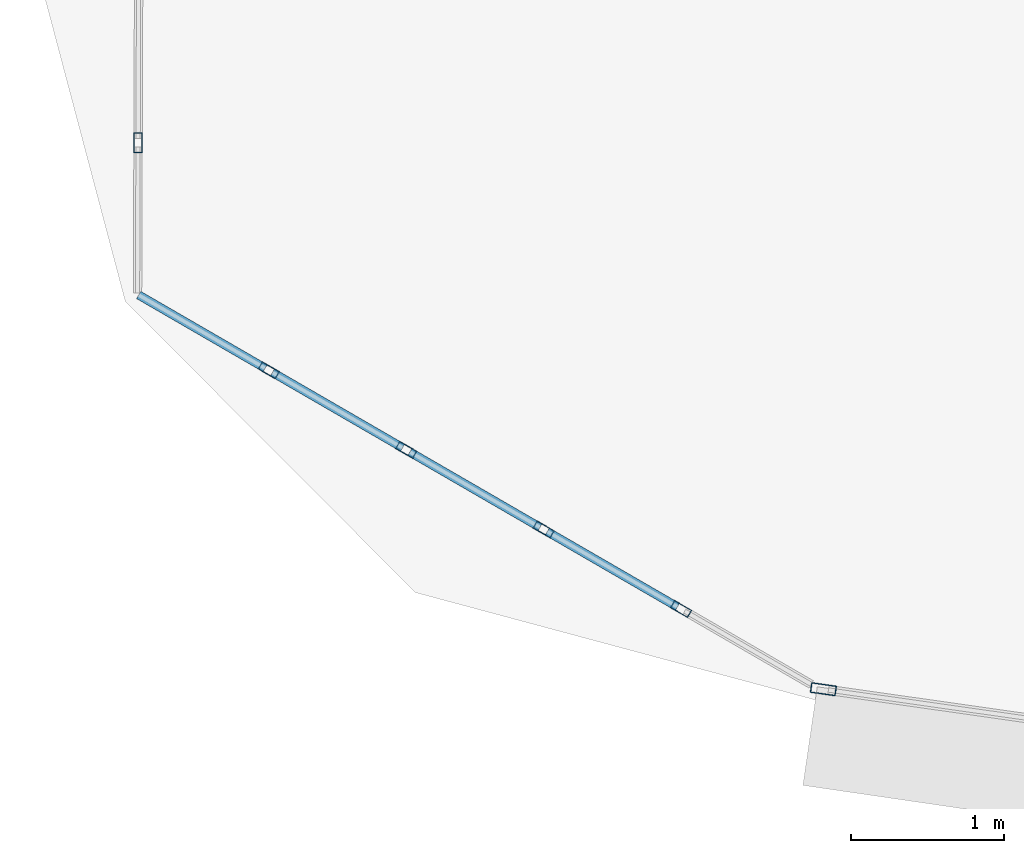
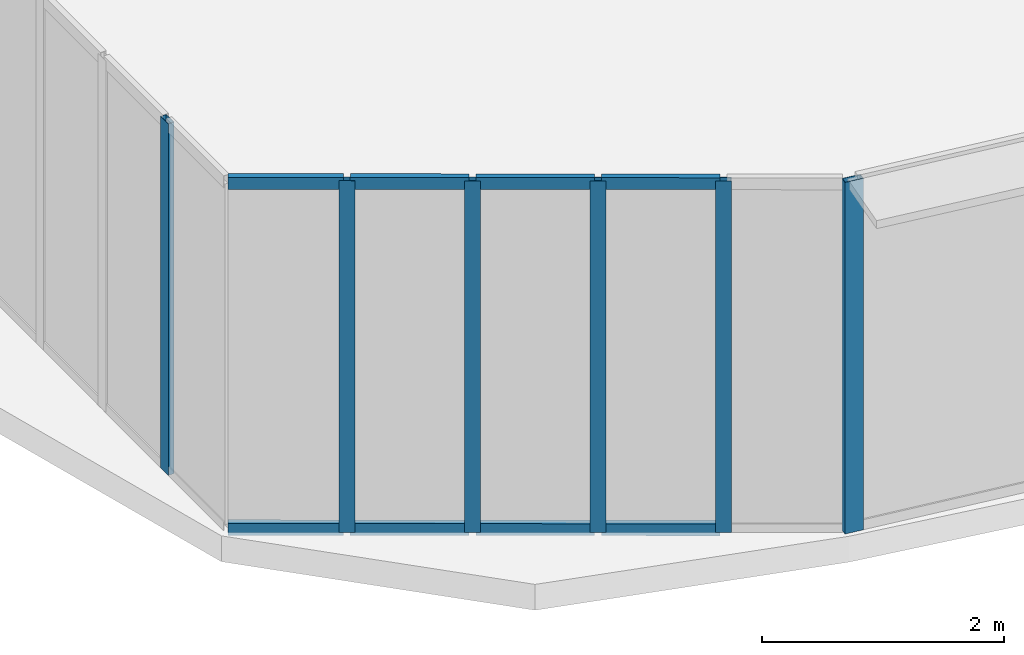
# One storey, part 2 of 39: 14 members, 3 elements without a shape of their own.
"""IFC4 building model written with IfcOpenShell, lengths in metres."""

from ifc_helpers import new_model, si_unit, direction, frame, origin, origin_2d, place, context, subcontext, project, spatial, hollow_rectangle, extrude, source, transform, mapped, material, layer, layer_set, material_profile, profile_set, type_object, element, aggregate, save


model = new_model("IFC4")

# Units and contexts
model_context = context("Model", 3, precision=1e-05, world=origin(), true_north=direction((0.0, 1.0)))
body_context = subcontext(model_context, "Body", "Model", "MODEL_VIEW")
ifc_project = project(units=[si_unit("LENGTHUNIT", "METRE"), si_unit("AREAUNIT", "SQUARE_METRE"), si_unit("VOLUMEUNIT", "CUBIC_METRE"), si_unit("PLANEANGLEUNIT", "RADIAN"), si_unit("MASSUNIT", "GRAM", prefix="KILO"), si_unit("THERMODYNAMICTEMPERATUREUNIT", "KELVIN"), si_unit("POWERUNIT", "WATT")], contexts=[model_context])

# Site, building, storey
site_placement = place(None, origin())
site = spatial("IfcSite", under=ifc_project, at=site_placement, CompositionType="ELEMENT")
building_placement = place(site_placement, origin())
building = spatial("IfcBuilding", under=site, at=building_placement, Name="Yunzhuo Pagoda Commons", CompositionType="ELEMENT")
storey_placement = place(building_placement, frame((0.0, 0.0, 92.580078125)))
storey = spatial("IfcBuildingStorey", under=building, at=storey_placement, Name="L23", CompositionType="ELEMENT", Elevation=92.580078125)

# Curtain wall, member
ifc_material = material(Name="Anodized aluminium 6063-T6", Category="aluminium")
ifc_layer_1 = layer(ifc_material, 0.1650390625)
ifc_layer_set_1 = layer_set([ifc_layer_1], Name="Anodized aluminium 6063-T6")
curtain_wall_type_1 = type_object("IfcCurtainWallType", Name="CW-LOW Low-Zone Ribbon Curtain Wall", PredefinedType="NOTDEFINED", material=ifc_layer_set_1)
curtain_wall_1_placement = place(storey_placement, origin())
curtain_wall_1 = element("IfcCurtainWall", 1, at=curtain_wall_1_placement, inside=storey, type_object=curtain_wall_type_1, Name="L23 curtain wall CW-L23-F1B1", PredefinedType="NOTDEFINED")
ifc_material_profile_1 = material_profile(ifc_material, hollow_rectangle(XDim=0.06494140625, YDim=0.1650390625, WallThickness=0.00390625, at=origin_2d()), Name="Anodized aluminium 6063-T6")
ifc_profile_set_1 = profile_set([ifc_material_profile_1], Name="Anodized aluminium 6063-T6")
member_type_1 = type_object("IfcMemberType", Name="CW-LOW-M Mullion RHS 165x65x4", PredefinedType="MULLION", material=ifc_profile_set_1)
shared_shape_1 = source(origin(), body_context, "Body", "SweptSolid", [
    extrude(hollow_rectangle(XDim=0.06494140625, YDim=0.1650390625, WallThickness=0.00390625, at=origin_2d()), origin(), (0.0, 0.0, 1.0), 3.5400390625),
])
member_1_placement = place(storey_placement, frame((10.7119140625, 15.32568359375, 0.0), z_axis=(0.0, 0.0, 1.0), x_axis=(0.140773671614, 0.990041803855, 0.0)))
member_1 = element("IfcMember", 2, at=member_1_placement, type_object=member_type_1, Name="CW mullion 1", PredefinedType="MULLION", context=body_context, shape_type="MappedRepresentation", body=[
    mapped(shared_shape_1, transform((0.0, 0.0, 0.0), scale=1.0)),
])
aggregate(curtain_wall_1, [member_1])

ifc_layer_2 = layer(ifc_material, 0.1298828125)
ifc_layer_set_2 = layer_set([ifc_layer_2], Name="Anodized aluminium 6063-T6")
curtain_wall_type_2 = type_object("IfcCurtainWallType", Name="CW-VTX Rounded Corner Curtain Wall", PredefinedType="NOTDEFINED", material=ifc_layer_set_2)
curtain_wall_2_placement = place(storey_placement, origin())
curtain_wall_2 = element("IfcCurtainWall", 3, at=curtain_wall_2_placement, inside=storey, type_object=curtain_wall_type_2, Name="L23 curtain wall CW-L23-VTX1S1", PredefinedType="NOTDEFINED")
ifc_material_profile_2 = material_profile(ifc_material, hollow_rectangle(XDim=0.054931640625, YDim=0.1298828125, WallThickness=0.00341796875, at=origin_2d()), Name="Anodized aluminium 6063-T6")
ifc_profile_set_2 = profile_set([ifc_material_profile_2], Name="Anodized aluminium 6063-T6")
member_type_2 = type_object("IfcMemberType", Name="CW-VTX-M Mullion RHS 130x55x3.5", PredefinedType="MULLION", material=ifc_profile_set_2)
shared_shape_2 = source(origin(), body_context, "Body", "SweptSolid", [
    extrude(hollow_rectangle(XDim=0.054931640625, YDim=0.1298828125, WallThickness=0.00341796875, at=origin_2d()), origin(), (0.0, 0.0, 1.0), 3.5400390625),
])
member_2_placement = place(storey_placement, frame((6.242431640625, 18.89013671875, 0.0), z_axis=(0.0, 0.0, 1.0), x_axis=(0.999993616843, -0.003572992237, 0.0)))
member_2 = element("IfcMember", 4, at=member_2_placement, type_object=member_type_2, Name="CW mullion 5", PredefinedType="MULLION", context=body_context, shape_type="MappedRepresentation", body=[
    mapped(shared_shape_2, transform((0.0, 0.0, 0.0), scale=1.0)),
])
aggregate(curtain_wall_2, [member_2])

# Curtain wall, members
curtain_wall_3_placement = place(storey_placement, origin())
curtain_wall_3 = element("IfcCurtainWall", 5, at=curtain_wall_3_placement, inside=storey, type_object=curtain_wall_type_2, Name="L23 curtain wall CW-L23-VTX1S2", PredefinedType="NOTDEFINED")
member_3_placement = place(storey_placement, frame((7.094970703125, 17.4052734375, 0.0), z_axis=(0.0, 0.0, 1.0), x_axis=(0.501035509214, 0.865426726249, 0.0)))
member_3 = element("IfcMember", 6, at=member_3_placement, type_object=member_type_2, Name="CW mullion 2", PredefinedType="MULLION", context=body_context, shape_type="MappedRepresentation", body=[
    mapped(shared_shape_2, transform((0.0, 0.0, 0.0), scale=1.0)),
])
member_4_placement = place(storey_placement, frame((7.9912109375, 16.886474609375, 0.0), z_axis=(0.0, 0.0, 1.0), x_axis=(0.501035509214, 0.865426726249, 0.0)))
member_4 = element("IfcMember", 7, at=member_4_placement, type_object=member_type_2, Name="CW mullion 3", PredefinedType="MULLION", context=body_context, shape_type="MappedRepresentation", body=[
    mapped(shared_shape_2, transform((0.0, 0.0, 0.0), scale=1.0)),
])
member_5_placement = place(storey_placement, frame((8.887451171875, 16.36767578125, 0.0), z_axis=(0.0, 0.0, 1.0), x_axis=(0.501035509214, 0.865426726249, 0.0)))
member_5 = element("IfcMember", 8, at=member_5_placement, type_object=member_type_2, Name="CW mullion 4", PredefinedType="MULLION", context=body_context, shape_type="MappedRepresentation", body=[
    mapped(shared_shape_2, transform((0.0, 0.0, 0.0), scale=1.0)),
])
member_6_placement = place(storey_placement, frame((9.78369140625, 15.8486328125, 0.0), z_axis=(0.0, 0.0, 1.0), x_axis=(0.501035509214, 0.865426726249, 0.0)))
member_6 = element("IfcMember", 9, at=member_6_placement, type_object=member_type_2, Name="CW mullion 5", PredefinedType="MULLION", context=body_context, shape_type="MappedRepresentation", body=[
    mapped(shared_shape_2, transform((0.0, 0.0, 0.0), scale=1.0)),
])
ifc_material_profile_3 = material_profile(ifc_material, hollow_rectangle(XDim=0.054931640625, YDim=0.1201171875, WallThickness=0.00341796875, at=origin_2d()), Name="Anodized aluminium 6063-T6")
ifc_profile_set_3 = profile_set([ifc_material_profile_3], Name="Anodized aluminium 6063-T6")
member_type_3 = type_object("IfcMemberType", Name="CW-VTX-T Transom RHS 120x55x3.5", PredefinedType="USERDEFINED", material=ifc_profile_set_3)
shared_shape_3 = source(origin(), body_context, "Body", "SweptSolid", [
    extrude(hollow_rectangle(XDim=0.054931640625, YDim=0.1201171875, WallThickness=0.00341796875, at=origin_2d()), origin(), (0.0, 0.0, 1.0), 0.980224609375),
])
member_7_placement = place(storey_placement, frame((7.119140625, 17.3916015625, 0.02734375), z_axis=(0.865409234617, -0.501065720878, 0.0), x_axis=(0.501065720878, 0.865409234617, 0.0)))
member_7 = element("IfcMember", 10, at=member_7_placement, type_object=member_type_3, Name="CW transom 2.1", ObjectType="TRANSOM", PredefinedType="USERDEFINED", context=body_context, shape_type="MappedRepresentation", body=[
    mapped(shared_shape_3, transform((0.0, 0.0, 0.0), scale=1.0)),
])
member_8_placement = place(storey_placement, frame((7.119140625, 17.3916015625, 3.512451171875), z_axis=(0.865409234617, -0.501065720878, 0.0), x_axis=(0.501065720878, 0.865409234617, 0.0)))
member_8 = element("IfcMember", 11, at=member_8_placement, type_object=member_type_3, Name="CW transom 2.2", ObjectType="TRANSOM", PredefinedType="USERDEFINED", context=body_context, shape_type="MappedRepresentation", body=[
    mapped(shared_shape_3, transform((0.0, 0.0, 0.0), scale=1.0)),
])
member_9_placement = place(storey_placement, frame((8.01513671875, 16.87255859375, 0.02734375), z_axis=(0.865409234617, -0.501065720878, 0.0), x_axis=(0.501065720878, 0.865409234617, 0.0)))
member_9 = element("IfcMember", 12, at=member_9_placement, type_object=member_type_3, Name="CW transom 3.1", ObjectType="TRANSOM", PredefinedType="USERDEFINED", context=body_context, shape_type="MappedRepresentation", body=[
    mapped(shared_shape_3, transform((0.0, 0.0, 0.0), scale=1.0)),
])
member_10_placement = place(storey_placement, frame((8.01513671875, 16.87255859375, 3.512451171875), z_axis=(0.865409234617, -0.501065720878, 0.0), x_axis=(0.501065720878, 0.865409234617, 0.0)))
member_10 = element("IfcMember", 13, at=member_10_placement, type_object=member_type_3, Name="CW transom 3.2", ObjectType="TRANSOM", PredefinedType="USERDEFINED", context=body_context, shape_type="MappedRepresentation", body=[
    mapped(shared_shape_3, transform((0.0, 0.0, 0.0), scale=1.0)),
])
shared_shape_4 = source(origin(), body_context, "Body", "SweptSolid", [
    extrude(hollow_rectangle(XDim=0.054931640625, YDim=0.1201171875, WallThickness=0.00341796875, at=origin_2d()), origin(), (0.0, 0.0, 1.0), 0.98046875),
])
member_11_placement = place(storey_placement, frame((8.9111328125, 16.353759765625, 0.02734375), z_axis=(0.865471739755, -0.500957750399, 0.0), x_axis=(0.500957750399, 0.865471739755, 0.0)))
member_11 = element("IfcMember", 14, at=member_11_placement, type_object=member_type_3, Name="CW transom 4.1", ObjectType="TRANSOM", PredefinedType="USERDEFINED", context=body_context, shape_type="MappedRepresentation", body=[
    mapped(shared_shape_4, transform((0.0, 0.0, 0.0), scale=1.0)),
])
member_12_placement = place(storey_placement, frame((8.9111328125, 16.353759765625, 3.512451171875), z_axis=(0.865471739755, -0.500957750399, 0.0), x_axis=(0.500957750399, 0.865471739755, 0.0)))
member_12 = element("IfcMember", 15, at=member_12_placement, type_object=member_type_3, Name="CW transom 4.2", ObjectType="TRANSOM", PredefinedType="USERDEFINED", context=body_context, shape_type="MappedRepresentation", body=[
    mapped(shared_shape_4, transform((0.0, 0.0, 0.0), scale=1.0)),
])
shared_shape_5 = source(origin(), body_context, "Body", "SweptSolid", [
    extrude(hollow_rectangle(XDim=0.054931640625, YDim=0.1201171875, WallThickness=0.00341796875, at=origin_2d()), origin(), (0.0, 0.0, 1.0), 0.952880859375),
])
member_13_placement = place(storey_placement, frame((6.24658203125, 17.896484375, 0.02734375), z_axis=(0.865391204156, -0.501096860666, 0.0), x_axis=(0.501096860666, 0.865391204156, 0.0)))
member_13 = element("IfcMember", 16, at=member_13_placement, type_object=member_type_3, Name="CW transom 1.1", ObjectType="TRANSOM", PredefinedType="USERDEFINED", context=body_context, shape_type="MappedRepresentation", body=[
    mapped(shared_shape_5, transform((0.0, 0.0, 0.0), scale=1.0)),
])
member_14_placement = place(storey_placement, frame((6.24658203125, 17.896484375, 3.512451171875), z_axis=(0.865391204156, -0.501096860666, 0.0), x_axis=(0.501096860666, 0.865391204156, 0.0)))
member_14 = element("IfcMember", 17, at=member_14_placement, type_object=member_type_3, Name="CW transom 1.2", ObjectType="TRANSOM", PredefinedType="USERDEFINED", context=body_context, shape_type="MappedRepresentation", body=[
    mapped(shared_shape_5, transform((0.0, 0.0, 0.0), scale=1.0)),
])
aggregate(curtain_wall_3, [member_3, member_4, member_5, member_6, member_13, member_14, member_7, member_8, member_9, member_10, member_11, member_12])

save(model, "model.ifc")
